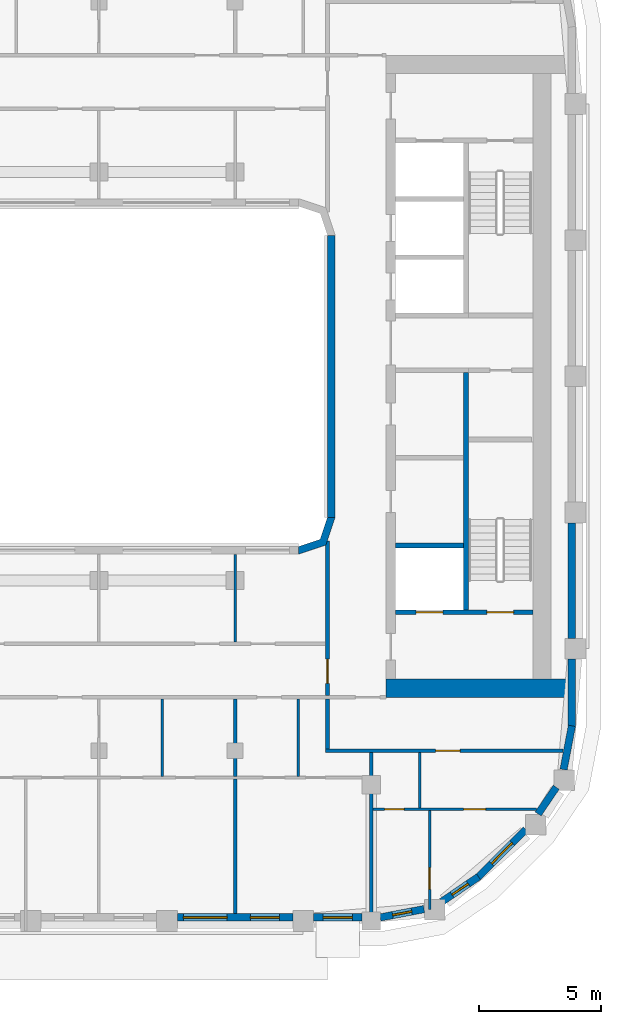
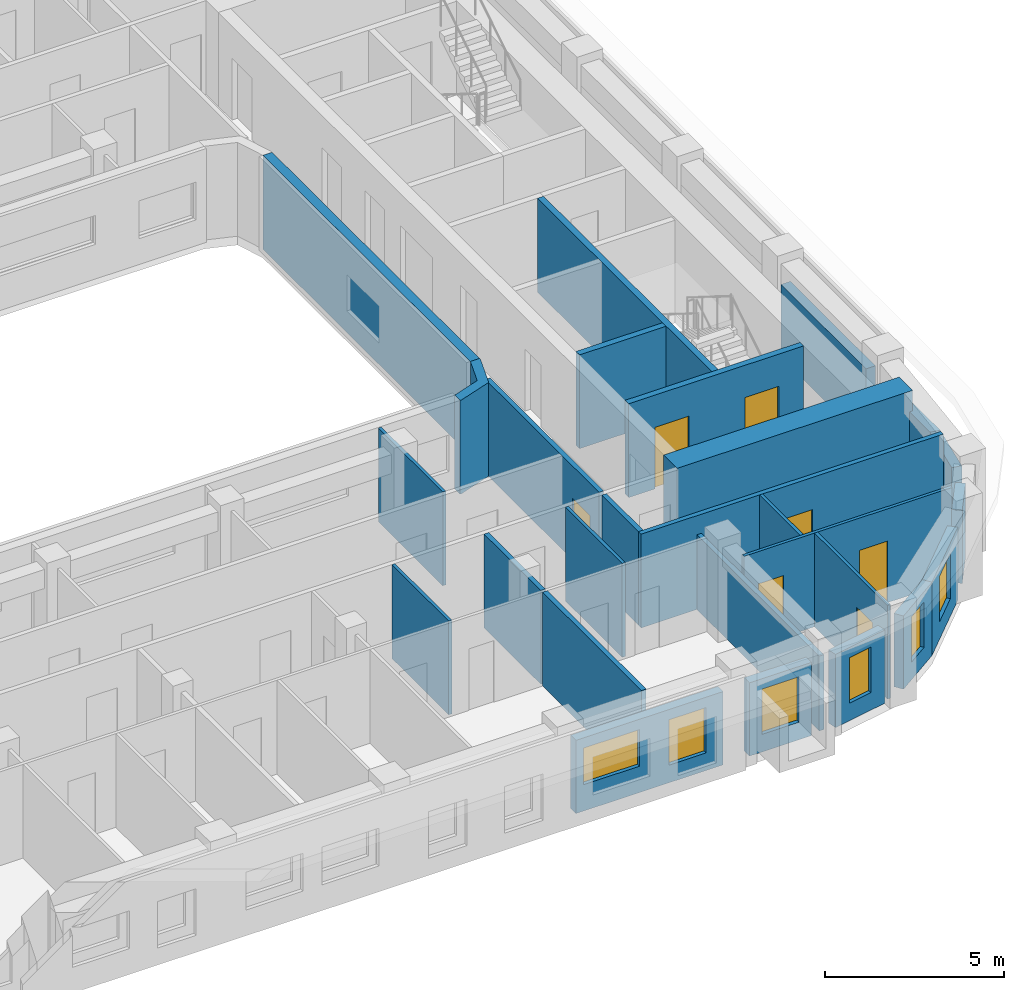
# One storey, part 5 of 21: 27 walls, 7 doors, 6 windows, 13 openings.
"""IFC4 building model written with IfcOpenShell, lengths in metres."""

from ifc_helpers import new_model, si_unit, direction, frame, frame_2d, origin, place, context, subcontext, project, spatial, polyline, rectangle, outline, extrude, material, layer, layer_set, type_object, element, fill, save


model = new_model("IFC4")

# Units and contexts
model_context = context("Model", 3, precision=1e-05, world=origin(), true_north=direction((0.0, 1.0)))
body_context = subcontext(model_context, "Body", "Model", "MODEL_VIEW")
ifc_project = project(units=[si_unit("LENGTHUNIT", "METRE"), si_unit("AREAUNIT", "SQUARE_METRE"), si_unit("VOLUMEUNIT", "CUBIC_METRE"), si_unit("PLANEANGLEUNIT", "RADIAN"), si_unit("MASSUNIT", "GRAM", prefix="KILO")], contexts=[model_context])

# Site, building, storey
site_placement = place(None, origin())
site = spatial("IfcSite", under=ifc_project, at=site_placement, CompositionType="ELEMENT")
building_placement = place(site_placement, origin())
building = spatial("IfcBuilding", under=site, at=building_placement, Name="Kiln Ring Residences", CompositionType="ELEMENT")
storey_placement = place(building_placement, frame((0.0, 0.0, 216.89990234375)))
storey = spatial("IfcBuildingStorey", under=building, at=storey_placement, Name="L56", CompositionType="ELEMENT", Elevation=216.89990234375)

# Walls
ifc_material_1 = material(Name="Gypsum shaft wall system")
ifc_layer_1 = layer(ifc_material_1, 0.199951171875)
ifc_layer_set_1 = layer_set([ifc_layer_1], Name="CORE-SHAFT-WALL-200")
wall_type_1 = type_object("IfcWallType", Name="CORE-SHAFT-WALL-200", PredefinedType="PARTITIONING", material=ifc_layer_set_1)
wall_1_placement = place(storey_placement, frame((17.800048828125, -6.949951171875, 0.0), z_axis=(0.0, 0.0, 1.0), x_axis=(1.0, 0.0, 0.0)))
element("IfcWall", 1, at=wall_1_placement, inside=storey, type_object=wall_type_1, Name="Core partition east L56 3", PredefinedType="PARTITIONING", context=body_context, shape_type="SweptSolid", body=[
    extrude(rectangle(XDim=2.800048828125, YDim=0.199951171875, at=frame_2d((1.39990234375, 0.0))), origin(), (0.0, 0.0, 1.0), 3.2001953125),
])
ifc_material_2 = material(Name="Concrete C40/50", Category="concrete")
ifc_layer_2 = layer(ifc_material_2, 0.199951171875)
ifc_layer_set_2 = layer_set([ifc_layer_2], Name="CORE-WALL-RC200")
wall_type_2 = type_object("IfcWallType", Name="CORE-WALL-RC200", PredefinedType="SHEAR", material=ifc_layer_set_2)
wall_2_placement = place(storey_placement, frame((20.699951171875, -9.60009765625, 0.0), z_axis=(0.0, 0.0, 1.0), x_axis=(0.0, 1.0, 0.0)))
element("IfcWall", 2, at=wall_2_placement, inside=storey, type_object=wall_type_2, Name="Core wall east L56 2", PredefinedType="SHEAR", context=body_context, shape_type="SweptSolid", body=[
    extrude(rectangle(XDim=9.75, YDim=0.199951171875, at=frame_2d((4.875, 0.0))), origin(), (0.0, 0.0, 1.0), 3.2001953125),
])

# Wall, openings, doors
wall_3_placement = place(storey_placement, frame((17.800048828125, -9.699951171875, 0.0), z_axis=(0.0, 0.0, 1.0), x_axis=(1.0, 0.0, 0.0)))
wall_3 = element("IfcWall", 3, at=wall_3_placement, inside=storey, type_object=wall_type_2, Name="Core wall east L56 8", PredefinedType="SHEAR", context=body_context, shape_type="SweptSolid", body=[
    extrude(rectangle(XDim=5.64990234375, YDim=0.199951171875, at=frame_2d((2.824951171875, 0.0))), origin(), (0.0, 0.0, 1.0), 3.2001953125),
])
opening_1_placement = place(wall_3_placement, frame((0.85009765625, 0.0, 0.0)))
opening_1 = element("IfcOpeningElement", 4, at=opening_1_placement, cuts=wall_3, Name="Opening L56-CE01", PredefinedType="OPENING", context=body_context, shape_type="SweptSolid", body=[
    extrude(rectangle(XDim=1.10009765625, YDim=2.10009765625, at=frame_2d((0.550048828125, 1.050048828125))), frame((0.0, 0.10986328125, 0.0), z_axis=(0.0, -1.0, 0.0), x_axis=(1.0, 0.0, 0.0)), (0.0, 0.0, 1.0), 0.219970703125),
])
opening_2_placement = place(wall_3_placement, frame((3.75, 0.0, 0.0)))
opening_2 = element("IfcOpeningElement", 5, at=opening_2_placement, cuts=wall_3, Name="Opening L56-CE10", PredefinedType="OPENING", context=body_context, shape_type="SweptSolid", body=[
    extrude(rectangle(XDim=1.10009765625, YDim=2.10009765625, at=frame_2d((0.550048828125, 1.050048828125))), frame((0.0, 0.10986328125, 0.0), z_axis=(0.0, -1.0, 0.0), x_axis=(1.0, 0.0, 0.0)), (0.0, 0.0, 1.0), 0.219970703125),
])
ifc_material_3 = material(Name="Steel door leaf", Category="steel")
door_type_1 = type_object("IfcDoorType", Name="CORE-DOOR-LD", OperationType="DOUBLE_DOOR_SLIDING", PredefinedType="DOOR", material=ifc_material_3)
door_1_placement = place(opening_1_placement, origin())
door_1 = element("IfcDoor", 6, at=door_1_placement, inside=storey, type_object=door_type_1, Name="LD E-SV L56-CE01", OperationType="DOUBLE_DOOR_SLIDING", OverallHeight=2.10009765625, OverallWidth=1.10009765625, PredefinedType="DOOR", context=body_context, shape_type="SweptSolid", body=[
    extrude(rectangle(XDim=1.10009765625, YDim=2.10009765625, at=frame_2d((0.550048828125, 1.050048828125))), frame((0.0, 0.02490234375, 0.0), z_axis=(0.0, -1.0, 0.0), x_axis=(1.0, 0.0, 0.0)), (0.0, 0.0, 1.0), 0.050048828125),
])
fill(opening_1, door_1)
ifc_material_4 = material(Name="Steel door leaf", Category="steel")
door_type_2 = type_object("IfcDoorType", Name="CORE-DOOR-STAIR", OperationType="SINGLE_SWING_LEFT", PredefinedType="DOOR", material=ifc_material_4)
door_2_placement = place(opening_2_placement, origin())
door_2 = element("IfcDoor", 7, at=door_2_placement, inside=storey, type_object=door_type_2, Name="Stair E-STS L56-CE10", OperationType="SINGLE_SWING_RIGHT", OverallHeight=2.10009765625, OverallWidth=1.10009765625, PredefinedType="DOOR", context=body_context, shape_type="SweptSolid", body=[
    extrude(rectangle(XDim=1.10009765625, YDim=2.10009765625, at=frame_2d((0.550048828125, 1.050048828125))), frame((0.0, 0.02490234375, 0.0), z_axis=(0.0, -1.0, 0.0), x_axis=(1.0, 0.0, 0.0)), (0.0, 0.0, 1.0), 0.050048828125),
])
fill(opening_2, door_2)

# Wall
ifc_material_5 = material(Name="Concrete C60/75", Category="concrete")
ifc_layer_3 = layer(ifc_material_5, 0.75)
ifc_layer_set_3 = layer_set([ifc_layer_3], Name="CORE-WALL-RC750")
wall_type_3 = type_object("IfcWallType", Name="CORE-WALL-RC750", PredefinedType="SHEAR", material=ifc_layer_set_3)
wall_4_placement = place(storey_placement, frame((17.39990234375, -12.824951171875, 0.0), z_axis=(0.0, 0.0, 1.0), x_axis=(1.0, 0.0, 0.0)))
element("IfcWall", 8, at=wall_4_placement, inside=storey, type_object=wall_type_3, Name="Core wall east L56 5", PredefinedType="SHEAR", context=body_context, shape_type="SweptSolid", body=[
    extrude(rectangle(XDim=7.60009765625, YDim=0.75, at=frame_2d((3.800048828125, 0.0))), origin(), (0.0, 0.0, 1.0), 3.2001953125),
])

# Wall, openings, windows
ifc_material_6 = material(Name="Brick masonry, dark clay brick", Category="masonry")
ifc_layer_4 = layer(ifc_material_6, 0.300048828125)
ifc_layer_set_4 = layer_set([ifc_layer_4], Name="EW-300 BRICK WALL")
wall_type_4 = type_object("IfcWallType", Name="EW-300 BRICK WALL", PredefinedType="SOLIDWALL", material=ifc_layer_set_4)
wall_5_placement = place(storey_placement, frame((8.824951171875, -22.25, 0.0), z_axis=(0.0, 0.0, 1.0), x_axis=(1.0, 0.0, 0.0)))
wall_5 = element("IfcWall", 9, at=wall_5_placement, inside=storey, type_object=wall_type_4, Name="Facade wall L56 9", PredefinedType="SOLIDWALL", context=body_context, shape_type="SweptSolid", body=[
    extrude(rectangle(XDim=4.75, YDim=0.300048828125, at=frame_2d((2.375, 0.0))), origin(), (0.0, 0.0, 1.0), 2.5),
])
opening_3_placement = place(wall_5_placement, frame((0.25, 0.0, 0.89990234375)))
opening_3 = element("IfcOpeningElement", 10, at=opening_3_placement, cuts=wall_5, Name="Opening W2", PredefinedType="OPENING", context=body_context, shape_type="SweptSolid", body=[
    extrude(rectangle(XDim=1.800048828125, YDim=1.25, at=frame_2d((0.89990234375, 0.625))), frame((0.0, 0.159912109375, 0.0), z_axis=(0.0, -1.0, 0.0), x_axis=(1.0, 0.0, 0.0)), (0.0, 0.0, 1.0), 0.320068359375),
])
opening_4_placement = place(wall_5_placement, frame((3.0, 0.0, 0.60009765625)))
opening_4 = element("IfcOpeningElement", 11, at=opening_4_placement, cuts=wall_5, Name="Opening W1", PredefinedType="OPENING", context=body_context, shape_type="SweptSolid", body=[
    extrude(rectangle(XDim=1.199951171875, YDim=1.550048828125, at=frame_2d((0.60009765625, 0.77490234375))), frame((0.0, 0.159912109375, 0.0), z_axis=(0.0, -1.0, 0.0), x_axis=(1.0, 0.0, 0.0)), (0.0, 0.0, 1.0), 0.320068359375),
])
ifc_material_7 = material(Name="Aluminium frame with double glazing", Category="aluminium")
window_type_1 = type_object("IfcWindowType", Name="WINDOW 1200 x 1550", PartitioningType="SINGLE_PANEL", PredefinedType="WINDOW", material=ifc_material_7)
window_1_placement = place(opening_4_placement, origin())
window_1 = element("IfcWindow", 12, at=window_1_placement, inside=storey, type_object=window_type_1, Name="Window L56 12", OverallHeight=1.550048828125, OverallWidth=1.199951171875, PartitioningType="SINGLE_PANEL", PredefinedType="WINDOW", context=body_context, shape_type="SweptSolid", body=[
    extrude(rectangle(XDim=1.199951171875, YDim=1.550048828125, at=frame_2d((0.60009765625, 0.77490234375))), frame((0.0, 0.030029296875, 0.0), z_axis=(0.0, -1.0, 0.0), x_axis=(1.0, 0.0, 0.0)), (0.0, 0.0, 1.0), 0.06005859375),
])
fill(opening_4, window_1)
ifc_material_8 = material(Name="Aluminium frame with double glazing", Category="aluminium")
window_type_2 = type_object("IfcWindowType", Name="WINDOW 1800 x 1250", PartitioningType="SINGLE_PANEL", PredefinedType="WINDOW", material=ifc_material_8)
window_2_placement = place(opening_3_placement, origin())
window_2 = element("IfcWindow", 13, at=window_2_placement, inside=storey, type_object=window_type_2, Name="Window L56 11", OverallHeight=1.25, OverallWidth=1.800048828125, PartitioningType="SINGLE_PANEL", PredefinedType="WINDOW", context=body_context, shape_type="SweptSolid", body=[
    extrude(rectangle(XDim=1.800048828125, YDim=1.25, at=frame_2d((0.89990234375, 0.625))), frame((0.0, 0.030029296875, 0.0), z_axis=(0.0, -1.0, 0.0), x_axis=(1.0, 0.0, 0.0)), (0.0, 0.0, 1.0), 0.06005859375),
])
fill(opening_3, window_2)

# Wall, opening, window
wall_6_placement = place(storey_placement, frame((14.425048828125, -22.25, 0.0), z_axis=(0.0, 0.0, 1.0), x_axis=(1.0, 0.0, 0.0)))
wall_6 = element("IfcWall", 14, at=wall_6_placement, inside=storey, type_object=wall_type_4, Name="Facade wall L56 10", PredefinedType="SOLIDWALL", context=body_context, shape_type="SweptSolid", body=[
    extrude(rectangle(XDim=2.0, YDim=0.300048828125, at=frame_2d((1.0, 0.0))), origin(), (0.0, 0.0, 1.0), 2.5),
])
opening_5_placement = place(wall_6_placement, frame((0.39990234375, 0.0, 0.60009765625)))
opening_5 = element("IfcOpeningElement", 15, at=opening_5_placement, cuts=wall_6, Name="Opening W1", PredefinedType="OPENING", context=body_context, shape_type="SweptSolid", body=[
    extrude(rectangle(XDim=1.199951171875, YDim=1.550048828125, at=frame_2d((0.60009765625, 0.77490234375))), frame((0.0, 0.159912109375, 0.0), z_axis=(0.0, -1.0, 0.0), x_axis=(1.0, 0.0, 0.0)), (0.0, 0.0, 1.0), 0.320068359375),
])
window_3_placement = place(opening_5_placement, origin())
window_3 = element("IfcWindow", 16, at=window_3_placement, inside=storey, type_object=window_type_1, Name="Window L56 13", OverallHeight=1.550048828125, OverallWidth=1.199951171875, PartitioningType="SINGLE_PANEL", PredefinedType="WINDOW", context=body_context, shape_type="SweptSolid", body=[
    extrude(rectangle(XDim=1.199951171875, YDim=1.550048828125, at=frame_2d((0.60009765625, 0.77490234375))), frame((0.0, 0.030029296875, 0.0), z_axis=(0.0, -1.0, 0.0), x_axis=(1.0, 0.0, 0.0)), (0.0, 0.0, 1.0), 0.06005859375),
])
fill(opening_5, window_3)

wall_7_placement = place(storey_placement, frame((17.171875, -22.252685546875, 0.0), z_axis=(0.0, 0.0, 1.0), x_axis=(0.982300037503, 0.187314271538, 0.0)))
wall_7 = element("IfcWall", 17, at=wall_7_placement, inside=storey, type_object=wall_type_4, Name="Facade wall L56 11", PredefinedType="SOLIDWALL", context=body_context, shape_type="SweptSolid", body=[
    extrude(rectangle(XDim=1.831298828125, YDim=0.300048828125, at=frame_2d((0.91552734375, 0.0))), origin(), (0.0, 0.0, 1.0), 2.5),
])
opening_6_placement = place(wall_7_placement, frame((0.515625, 0.0, 0.60009765625)))
opening_6 = element("IfcOpeningElement", 18, at=opening_6_placement, cuts=wall_7, Name="Opening W5", PredefinedType="OPENING", context=body_context, shape_type="SweptSolid", body=[
    extrude(rectangle(XDim=0.800048828125, YDim=1.550048828125, at=frame_2d((0.39990234375, 0.77490234375))), frame((0.0, 0.159912109375, 0.0), z_axis=(0.0, -1.0, 0.0), x_axis=(1.0, 0.0, 0.0)), (0.0, 0.0, 1.0), 0.320068359375),
])
ifc_material_9 = material(Name="Aluminium frame with double glazing", Category="aluminium")
window_type_3 = type_object("IfcWindowType", Name="WINDOW 800 x 1550", PartitioningType="SINGLE_PANEL", PredefinedType="WINDOW", material=ifc_material_9)
window_4_placement = place(opening_6_placement, origin())
window_4 = element("IfcWindow", 19, at=window_4_placement, inside=storey, type_object=window_type_3, Name="Window L56 14", OverallHeight=1.550048828125, OverallWidth=0.800048828125, PartitioningType="SINGLE_PANEL", PredefinedType="WINDOW", context=body_context, shape_type="SweptSolid", body=[
    extrude(rectangle(XDim=0.800048828125, YDim=1.550048828125, at=frame_2d((0.39990234375, 0.77490234375))), frame((0.0, 0.030029296875, 0.0), z_axis=(0.0, -1.0, 0.0), x_axis=(1.0, 0.0, 0.0)), (0.0, 0.0, 1.0), 0.06005859375),
])
fill(opening_6, window_4)

wall_8_placement = place(storey_placement, frame((19.6982421875, -21.608154296875, 0.0), z_axis=(0.0, 0.0, 1.0), x_axis=(0.82705295608, 0.562124014644, 0.0)))
wall_8 = element("IfcWall", 20, at=wall_8_placement, inside=storey, type_object=wall_type_4, Name="Facade wall L56 12", PredefinedType="SOLIDWALL", context=body_context, shape_type="SweptSolid", body=[
    extrude(rectangle(XDim=1.8310546875, YDim=0.300048828125, at=frame_2d((0.91552734375, 0.0))), origin(), (0.0, 0.0, 1.0), 2.5),
])
opening_7_placement = place(wall_8_placement, frame((0.515625, 0.0, 0.60009765625)))
opening_7 = element("IfcOpeningElement", 21, at=opening_7_placement, cuts=wall_8, Name="Opening W5", PredefinedType="OPENING", context=body_context, shape_type="SweptSolid", body=[
    extrude(rectangle(XDim=0.800048828125, YDim=1.550048828125, at=frame_2d((0.39990234375, 0.77490234375))), frame((0.0, 0.159912109375, 0.0), z_axis=(0.0, -1.0, 0.0), x_axis=(1.0, 0.0, 0.0)), (0.0, 0.0, 1.0), 0.320068359375),
])
window_5_placement = place(opening_7_placement, origin())
window_5 = element("IfcWindow", 22, at=window_5_placement, inside=storey, type_object=window_type_3, Name="Window L56 15", OverallHeight=1.550048828125, OverallWidth=0.800048828125, PartitioningType="SINGLE_PANEL", PredefinedType="WINDOW", context=body_context, shape_type="SweptSolid", body=[
    extrude(rectangle(XDim=0.800048828125, YDim=1.550048828125, at=frame_2d((0.39990234375, 0.77490234375))), frame((0.0, 0.030029296875, 0.0), z_axis=(0.0, -1.0, 0.0), x_axis=(1.0, 0.0, 0.0)), (0.0, 0.0, 1.0), 0.06005859375),
])
fill(opening_7, window_5)

wall_9_placement = place(storey_placement, frame((21.19091796875, -20.596923828125, 0.0), z_axis=(0.0, 0.0, 1.0), x_axis=(0.707150767798, 0.707062791838, 0.0)))
wall_9 = element("IfcWall", 23, at=wall_9_placement, inside=storey, type_object=wall_type_4, Name="Facade wall L56 13", PredefinedType="SOLIDWALL", context=body_context, shape_type="SweptSolid", body=[
    extrude(rectangle(XDim=2.775146484375, YDim=0.300048828125, at=frame_2d((1.3876953125, 0.0))), origin(), (0.0, 0.0, 1.0), 2.5),
])
opening_8_placement = place(wall_9_placement, frame((0.78759765625, 0.0, 0.60009765625)))
opening_8 = element("IfcOpeningElement", 24, at=opening_8_placement, cuts=wall_9, Name="Opening W1", PredefinedType="OPENING", context=body_context, shape_type="SweptSolid", body=[
    extrude(rectangle(XDim=1.199951171875, YDim=1.550048828125, at=frame_2d((0.60009765625, 0.77490234375))), frame((0.0, 0.159912109375, 0.0), z_axis=(0.0, -1.0, 0.0), x_axis=(1.0, 0.0, 0.0)), (0.0, 0.0, 1.0), 0.320068359375),
])
window_6_placement = place(opening_8_placement, origin())
window_6 = element("IfcWindow", 25, at=window_6_placement, inside=storey, type_object=window_type_1, Name="Window L56 16", OverallHeight=1.550048828125, OverallWidth=1.199951171875, PartitioningType="SINGLE_PANEL", PredefinedType="WINDOW", context=body_context, shape_type="SweptSolid", body=[
    extrude(rectangle(XDim=1.199951171875, YDim=1.550048828125, at=frame_2d((0.60009765625, 0.77490234375))), frame((0.0, 0.030029296875, 0.0), z_axis=(0.0, -1.0, 0.0), x_axis=(1.0, 0.0, 0.0)), (0.0, 0.0, 1.0), 0.06005859375),
])
fill(opening_8, window_6)

# Walls
wall_10_placement = place(storey_placement, frame((23.662109375, -17.995849609375, 0.0), z_axis=(0.0, 0.0, 1.0), x_axis=(0.562149004813, 0.827035970432, 0.0)))
element("IfcWall", 26, at=wall_10_placement, inside=storey, type_object=wall_type_4, Name="Facade wall L56 14", PredefinedType="SOLIDWALL", context=body_context, shape_type="SweptSolid", body=[
    extrude(rectangle(XDim=1.3271484375, YDim=0.300048828125, at=frame_2d((0.66357421875, 0.0))), origin(), (0.0, 0.0, 1.0), 2.5),
])
wall_11_placement = place(storey_placement, frame((24.70947265625, -16.170654296875, 0.0), z_axis=(0.0, 0.0, 1.0), x_axis=(0.187442908742, 0.982275499014, 0.0)))
element("IfcWall", 27, at=wall_11_placement, inside=storey, type_object=wall_type_4, Name="Facade wall L56 15", PredefinedType="SOLIDWALL", context=body_context, shape_type="SweptSolid", body=[
    extrude(rectangle(XDim=1.831298828125, YDim=0.300048828125, at=frame_2d((0.91552734375, 0.0))), origin(), (0.0, 0.0, 1.0), 2.5),
])
wall_12_placement = place(storey_placement, frame((25.050048828125, -14.39990234375, 0.0), z_axis=(0.0, 0.0, 1.0), x_axis=(0.0, 1.0, 0.0)))
element("IfcWall", 28, at=wall_12_placement, inside=storey, type_object=wall_type_4, Name="Facade wall L56 16", PredefinedType="SOLIDWALL", context=body_context, shape_type="SweptSolid", body=[
    extrude(rectangle(XDim=2.77490234375, YDim=0.300048828125, at=frame_2d((1.387451171875, 0.0))), origin(), (0.0, 0.0, 1.0), 2.5),
])
wall_13_placement = place(storey_placement, frame((25.050048828125, -10.77490234375, 0.0), z_axis=(0.0, 0.0, 1.0), x_axis=(0.0, 1.0, 0.0)))
element("IfcWall", 29, at=wall_13_placement, inside=storey, type_object=wall_type_4, Name="Facade wall L56 17", PredefinedType="SOLIDWALL", context=body_context, shape_type="SweptSolid", body=[
    extrude(rectangle(XDim=4.75, YDim=0.300048828125, at=frame_2d((2.375, 0.0))), origin(), (0.0, 0.0, 1.0), 2.5),
])
wall_14_placement = place(storey_placement, frame((15.14990234375, 5.800048828125, 0.0), z_axis=(0.0, 0.0, 1.0), x_axis=(0.0, -1.0, 0.0)))
element("IfcWall", 30, at=wall_14_placement, inside=storey, type_object=wall_type_4, Name="Facade wall L56 49", PredefinedType="SOLIDWALL", context=body_context, shape_type="SweptSolid", body=[
    extrude(rectangle(XDim=11.60009765625, YDim=0.300048828125, at=frame_2d((5.800048828125, 0.0))), origin(), (0.0, 0.0, 1.0), 3.2001953125),
])
wall_15_placement = place(storey_placement, origin())
element("IfcWall", 31, at=wall_15_placement, inside=storey, type_object=wall_type_4, Name="Corner wall L56 3", PredefinedType="SOLIDWALL", context=body_context, shape_type="SweptSolid", body=[
    extrude(outline(polyline([(14.937255859375, -6.937255859375), (15.300048828125, -5.8486328125), (15.300048828125, -5.800048828125), (15.0, -5.800048828125), (14.699951171875, -6.699951171875), (13.800048828125, -7.0), (13.800048828125, -7.300048828125), (13.8486328125, -7.300048828125), (14.937255859375, -6.937255859375)])), origin(), (0.0, 0.0, 1.0), 3.2001953125),
])

# Wall, openings, doors
ifc_material_10 = material(Name="Gypsum board on steel studs", Category="steel")
ifc_layer_5 = layer(ifc_material_10, 0.10009765625)
ifc_layer_set_5 = layer_set([ifc_layer_5], Name="PARTITION-100")
wall_type_5 = type_object("IfcWallType", Name="PARTITION-100", PredefinedType="PARTITIONING", material=ifc_layer_set_5)
wall_16_placement = place(storey_placement, frame((16.875, -17.800048828125, 0.0), z_axis=(0.0, 0.0, 1.0), x_axis=(1.0, 0.0, 0.0)))
wall_16 = element("IfcWall", 32, at=wall_16_placement, inside=storey, type_object=wall_type_5, Name="Partition 001", PredefinedType="PARTITIONING", context=body_context, shape_type="SweptSolid", body=[
    extrude(rectangle(XDim=6.718994140625, YDim=0.10009765625, at=frame_2d((3.359375, 0.0))), origin(), (0.0, 0.0, 1.0), 3.2001953125),
])
opening_9_placement = place(wall_16_placement, frame((0.47509765625, 0.0, 0.0)))
opening_9 = element("IfcOpeningElement", 33, at=opening_9_placement, cuts=wall_16, Name="Opening L56-D062", PredefinedType="OPENING", context=body_context, shape_type="SweptSolid", body=[
    extrude(rectangle(XDim=0.800048828125, YDim=2.10009765625, at=frame_2d((0.39990234375, 1.050048828125))), frame((0.0, 0.06005859375, 0.0), z_axis=(0.0, -1.0, 0.0), x_axis=(1.0, 0.0, 0.0)), (0.0, 0.0, 1.0), 0.1201171875),
])
opening_10_placement = place(wall_16_placement, frame((3.72509765625, 0.0, 0.0)))
opening_10 = element("IfcOpeningElement", 34, at=opening_10_placement, cuts=wall_16, Name="Opening L56-D063", PredefinedType="OPENING", context=body_context, shape_type="SweptSolid", body=[
    extrude(rectangle(XDim=0.89990234375, YDim=2.10009765625, at=frame_2d((0.449951171875, 1.050048828125))), frame((0.0, 0.06005859375, 0.0), z_axis=(0.0, -1.0, 0.0), x_axis=(1.0, 0.0, 0.0)), (0.0, 0.0, 1.0), 0.1201171875),
])
ifc_material_11 = material(Name="Timber door leaf", Category="wood")
door_type_3 = type_object("IfcDoorType", Name="FLAT-DOOR-800-PL", OperationType="SINGLE_SWING_LEFT", PredefinedType="DOOR", material=ifc_material_11)
door_3_placement = place(opening_9_placement, origin())
door_3 = element("IfcDoor", 35, at=door_3_placement, inside=storey, type_object=door_type_3, Name="Door L56-D062", OperationType="SINGLE_SWING_RIGHT", OverallHeight=2.10009765625, OverallWidth=0.800048828125, PredefinedType="DOOR", context=body_context, shape_type="SweptSolid", body=[
    extrude(rectangle(XDim=0.800048828125, YDim=2.10009765625, at=frame_2d((0.39990234375, 1.050048828125))), frame((0.0, 0.02490234375, 0.0), z_axis=(0.0, -1.0, 0.0), x_axis=(1.0, 0.0, 0.0)), (0.0, 0.0, 1.0), 0.050048828125),
])
fill(opening_9, door_3)
ifc_material_12 = material(Name="Timber door leaf", Category="wood")
door_type_4 = type_object("IfcDoorType", Name="FLAT-DOOR-900-PL", OperationType="SINGLE_SWING_LEFT", PredefinedType="DOOR", material=ifc_material_12)
door_4_placement = place(opening_10_placement, origin())
door_4 = element("IfcDoor", 36, at=door_4_placement, inside=storey, type_object=door_type_4, Name="Door L56-D063", OperationType="SINGLE_SWING_LEFT", OverallHeight=2.10009765625, OverallWidth=0.89990234375, PredefinedType="DOOR", context=body_context, shape_type="SweptSolid", body=[
    extrude(rectangle(XDim=0.89990234375, YDim=2.10009765625, at=frame_2d((0.449951171875, 1.050048828125))), frame((0.0, 0.02490234375, 0.0), z_axis=(0.0, -1.0, 0.0), x_axis=(1.0, 0.0, 0.0)), (0.0, 0.0, 1.0), 0.050048828125),
])
fill(opening_10, door_4)

# Walls
wall_17_placement = place(storey_placement, frame((8.199951171875, -16.449951171875, 0.0), z_axis=(0.0, 0.0, 1.0), x_axis=(0.0, 1.0, 0.0)))
element("IfcWall", 37, at=wall_17_placement, inside=storey, type_object=wall_type_5, Name="Partition 051", PredefinedType="PARTITIONING", context=body_context, shape_type="SweptSolid", body=[
    extrude(rectangle(XDim=3.175048828125, YDim=0.10009765625, at=frame_2d((1.58740234375, 0.0))), origin(), (0.0, 0.0, 1.0), 3.2001953125),
])
wall_18_placement = place(storey_placement, frame((11.199951171875, -10.925048828125, 0.0), z_axis=(0.0, 0.0, 1.0), x_axis=(0.0, 1.0, 0.0)))
element("IfcWall", 38, at=wall_18_placement, inside=storey, type_object=wall_type_5, Name="Partition 053", PredefinedType="PARTITIONING", context=body_context, shape_type="SweptSolid", body=[
    extrude(rectangle(XDim=3.60498046875, YDim=0.10009765625, at=frame_2d((1.802490234375, 0.0))), origin(), (0.0, 0.0, 1.0), 3.2001953125),
])
wall_19_placement = place(storey_placement, frame((13.800048828125, -16.449951171875, 0.0), z_axis=(0.0, 0.0, 1.0), x_axis=(0.0, 1.0, 0.0)))
element("IfcWall", 39, at=wall_19_placement, inside=storey, type_object=wall_type_5, Name="Partition 059", PredefinedType="PARTITIONING", context=body_context, shape_type="SweptSolid", body=[
    extrude(rectangle(XDim=3.175048828125, YDim=0.10009765625, at=frame_2d((1.58740234375, 0.0))), origin(), (0.0, 0.0, 1.0), 3.2001953125),
])
wall_20_placement = place(storey_placement, frame((18.800048828125, -17.75, 0.0), z_axis=(0.0, 0.0, 1.0), x_axis=(0.0, 1.0, 0.0)))
element("IfcWall", 40, at=wall_20_placement, inside=storey, type_object=wall_type_5, Name="Partition 068", PredefinedType="PARTITIONING", context=body_context, shape_type="SweptSolid", body=[
    extrude(rectangle(XDim=2.27490234375, YDim=0.10009765625, at=frame_2d((1.137451171875, 0.0))), origin(), (0.0, 0.0, 1.0), 3.2001953125),
])

# Wall, opening, door
wall_21_placement = place(storey_placement, frame((19.199951171875, -21.919921875, 0.0), z_axis=(0.0, 0.0, 1.0), x_axis=(0.0, 1.0, 0.0)))
wall_21 = element("IfcWall", 41, at=wall_21_placement, inside=storey, type_object=wall_type_5, Name="Partition 070", PredefinedType="PARTITIONING", context=body_context, shape_type="SweptSolid", body=[
    extrude(rectangle(XDim=4.06982421875, YDim=0.10009765625, at=frame_2d((2.034912109375, 0.0))), origin(), (0.0, 0.0, 1.0), 3.2001953125),
])
opening_11_placement = place(wall_21_placement, frame((0.820068359375, 0.0, 0.0)))
opening_11 = element("IfcOpeningElement", 42, at=opening_11_placement, cuts=wall_21, Name="Opening L56-D064", PredefinedType="OPENING", context=body_context, shape_type="SweptSolid", body=[
    extrude(rectangle(XDim=0.89990234375, YDim=2.10009765625, at=frame_2d((0.449951171875, 1.050048828125))), frame((0.0, 0.06005859375, 0.0), z_axis=(0.0, -1.0, 0.0), x_axis=(1.0, 0.0, 0.0)), (0.0, 0.0, 1.0), 0.1201171875),
])
door_5_placement = place(opening_11_placement, origin())
door_5 = element("IfcDoor", 43, at=door_5_placement, inside=storey, type_object=door_type_4, Name="Door L56-D064", OperationType="SINGLE_SWING_RIGHT", OverallHeight=2.10009765625, OverallWidth=0.89990234375, PredefinedType="DOOR", context=body_context, shape_type="SweptSolid", body=[
    extrude(rectangle(XDim=0.89990234375, YDim=2.10009765625, at=frame_2d((0.449951171875, 1.050048828125))), frame((0.0, 0.02490234375, 0.0), z_axis=(0.0, -1.0, 0.0), x_axis=(1.0, 0.0, 0.0)), (0.0, 0.0, 1.0), 0.050048828125),
])
fill(opening_11, door_5)

ifc_material_13 = material(Name="Brick masonry partition", Category="masonry")
ifc_layer_6 = layer(ifc_material_13, 0.14990234375)
ifc_layer_set_6 = layer_set([ifc_layer_6], Name="PARTITION-150-ei60")
wall_type_6 = type_object("IfcWallType", Name="PARTITION-150-ei60", PredefinedType="PARTITIONING", material=ifc_layer_set_6)
wall_22_placement = place(storey_placement, frame((14.925048828125, -15.39990234375, 0.0), z_axis=(0.0, 0.0, 1.0), x_axis=(1.0, 0.0, 0.0)))
wall_22 = element("IfcWall", 44, at=wall_22_placement, inside=storey, type_object=wall_type_6, Name="Partition 004", PredefinedType="PARTITIONING", context=body_context, shape_type="SweptSolid", body=[
    extrude(rectangle(XDim=9.7587890625, YDim=0.14990234375, at=frame_2d((4.87939453125, 0.0))), origin(), (0.0, 0.0, 1.0), 3.2001953125),
])
opening_12_placement = place(wall_22_placement, frame((4.52490234375, 0.0, 0.0)))
opening_12 = element("IfcOpeningElement", 45, at=opening_12_placement, cuts=wall_22, Name="Opening L56-D061", PredefinedType="OPENING", context=body_context, shape_type="SweptSolid", body=[
    extrude(rectangle(XDim=1.0, YDim=2.10009765625, at=frame_2d((0.5, 1.050048828125))), frame((0.0, 0.0849609375, 0.0), z_axis=(0.0, -1.0, 0.0), x_axis=(1.0, 0.0, 0.0)), (0.0, 0.0, 1.0), 0.169921875),
])
ifc_material_14 = material(Name="Steel faced fire door leaf", Category="steel")
door_type_5 = type_object("IfcDoorType", Name="FLAT-DOOR-1000-FR", OperationType="SINGLE_SWING_LEFT", PredefinedType="DOOR", material=ifc_material_14)
door_6_placement = place(opening_12_placement, origin())
door_6 = element("IfcDoor", 46, at=door_6_placement, inside=storey, type_object=door_type_5, Name="Door L56-D061", OperationType="SINGLE_SWING_LEFT", OverallHeight=2.10009765625, OverallWidth=1.0, PredefinedType="DOOR", context=body_context, shape_type="SweptSolid", body=[
    extrude(rectangle(XDim=1.0, YDim=2.10009765625, at=frame_2d((0.5, 1.050048828125))), frame((0.0, 0.02490234375, 0.0), z_axis=(0.0, -1.0, 0.0), x_axis=(1.0, 0.0, 0.0)), (0.0, 0.0, 1.0), 0.050048828125),
])
fill(opening_12, door_6)

# Walls
wall_23_placement = place(storey_placement, frame((11.199951171875, -22.080078125, 0.0), z_axis=(0.0, 0.0, 1.0), x_axis=(0.0, 1.0, 0.0)))
element("IfcWall", 47, at=wall_23_placement, inside=storey, type_object=wall_type_6, Name="Partition 055", PredefinedType="PARTITIONING", context=body_context, shape_type="SweptSolid", body=[
    extrude(rectangle(XDim=5.530029296875, YDim=0.14990234375, at=frame_2d((2.76513671875, 0.0))), origin(), (0.0, 0.0, 1.0), 3.2001953125),
])
wall_24_placement = place(storey_placement, frame((11.199951171875, -16.449951171875, 0.0), z_axis=(0.0, 0.0, 1.0), x_axis=(0.0, 1.0, 0.0)))
element("IfcWall", 48, at=wall_24_placement, inside=storey, type_object=wall_type_6, Name="Partition 056", PredefinedType="PARTITIONING", context=body_context, shape_type="SweptSolid", body=[
    extrude(rectangle(XDim=3.175048828125, YDim=0.14990234375, at=frame_2d((1.58740234375, 0.0))), origin(), (0.0, 0.0, 1.0), 3.2001953125),
])
wall_25_placement = place(storey_placement, frame((15.0, -15.324951171875, 0.0), z_axis=(0.0, 0.0, 1.0), x_axis=(0.0, 1.0, 0.0)))
element("IfcWall", 49, at=wall_25_placement, inside=storey, type_object=wall_type_6, Name="Partition 062", PredefinedType="PARTITIONING", context=body_context, shape_type="SweptSolid", body=[
    extrude(rectangle(XDim=2.050048828125, YDim=0.14990234375, at=frame_2d((1.02490234375, 0.0))), origin(), (0.0, 0.0, 1.0), 3.2001953125),
])

# Wall, opening, door
wall_26_placement = place(storey_placement, frame((15.0, -13.125, 0.0), z_axis=(0.0, 0.0, 1.0), x_axis=(0.0, 1.0, 0.0)))
wall_26 = element("IfcWall", 50, at=wall_26_placement, inside=storey, type_object=wall_type_6, Name="Partition 063", PredefinedType="PARTITIONING", context=body_context, shape_type="SweptSolid", body=[
    extrude(rectangle(XDim=6.356201171875, YDim=0.14990234375, at=frame_2d((3.17822265625, 0.0))), origin(), (0.0, 0.0, 1.0), 3.2001953125),
])
opening_13_placement = place(wall_26_placement, frame((0.49609375, 0.0, 0.0)))
opening_13 = element("IfcOpeningElement", 51, at=opening_13_placement, cuts=wall_26, Name="Opening L56-D006", PredefinedType="OPENING", context=body_context, shape_type="SweptSolid", body=[
    extrude(rectangle(XDim=1.0, YDim=2.10009765625, at=frame_2d((0.5, 1.050048828125))), frame((0.0, 0.0849609375, 0.0), z_axis=(0.0, -1.0, 0.0), x_axis=(1.0, 0.0, 0.0)), (0.0, 0.0, 1.0), 0.169921875),
])
door_7_placement = place(opening_13_placement, origin())
door_7 = element("IfcDoor", 52, at=door_7_placement, inside=storey, type_object=door_type_5, Name="Door L56-D006", OperationType="SINGLE_SWING_LEFT", OverallHeight=2.10009765625, OverallWidth=1.0, PredefinedType="DOOR", context=body_context, shape_type="SweptSolid", body=[
    extrude(rectangle(XDim=1.0, YDim=2.10009765625, at=frame_2d((0.5, 1.050048828125))), frame((0.0, 0.02490234375, 0.0), z_axis=(0.0, -1.0, 0.0), x_axis=(1.0, 0.0, 0.0)), (0.0, 0.0, 1.0), 0.050048828125),
])
fill(opening_13, door_7)

# Wall
wall_27_placement = place(storey_placement, frame((16.800048828125, -22.31005859375, 0.0), z_axis=(0.0, 0.0, 1.0), x_axis=(0.0, 1.0, 0.0)))
element("IfcWall", 53, at=wall_27_placement, inside=storey, type_object=wall_type_6, Name="Partition 066", PredefinedType="PARTITIONING", context=body_context, shape_type="SweptSolid", body=[
    extrude(rectangle(XDim=6.8349609375, YDim=0.14990234375, at=frame_2d((3.41748046875, 0.0))), origin(), (0.0, 0.0, 1.0), 2.550048828125),
])

save(model, "model.ifc")
